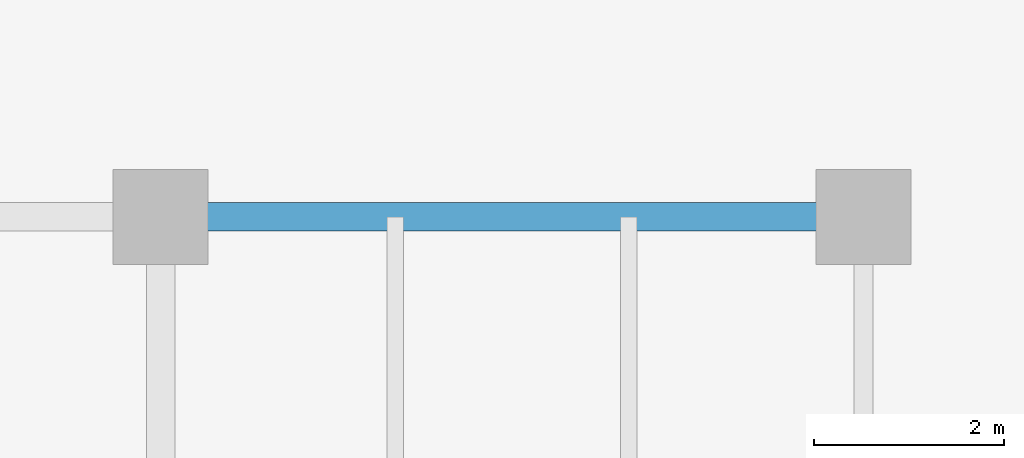
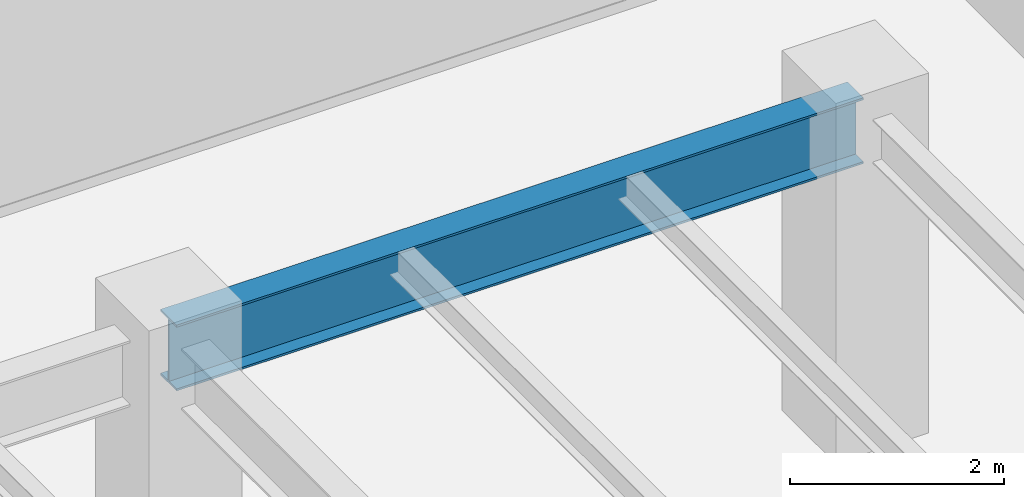
# One storey, part 21 of 36: 1 beam.
"""IFC4 building model written with IfcOpenShell, lengths in metres."""

from ifc_helpers import new_model, si_unit, direction, frame, origin, origin_2d, place, context, subcontext, project, spatial, i_section, extrude, source, transform, mapped, material, material_profile, profile_set, type_object, type_shapes, element, save


model = new_model("IFC4")

# Units and contexts
model_context = context("Model", 3, precision=1e-05, world=origin(), true_north=direction((0.0, 1.0)))
body_context = subcontext(model_context, "Body", "Model", "MODEL_VIEW")
ifc_project = project(units=[si_unit("LENGTHUNIT", "METRE"), si_unit("AREAUNIT", "SQUARE_METRE"), si_unit("VOLUMEUNIT", "CUBIC_METRE"), si_unit("PLANEANGLEUNIT", "RADIAN"), si_unit("MASSUNIT", "GRAM", prefix="KILO")], contexts=[model_context])

# Site, building, storey
site_placement = place(None, origin())
site = spatial("IfcSite", under=ifc_project, at=site_placement, CompositionType="ELEMENT")
building_placement = place(site_placement, origin())
building = spatial("IfcBuilding", under=site, at=building_placement, Name="Haelvirn Gate Laboratories", CompositionType="ELEMENT")
storey_placement = place(building_placement, frame((0.0, 0.0, 25.199951171875)))
storey = spatial("IfcBuildingStorey", under=building, at=storey_placement, Name="L06", CompositionType="ELEMENT", Elevation=25.199951171875)

# Beam
ifc_material = material(Name="Steel SM355", Category="steel")
ifc_material_profile = material_profile(ifc_material, i_section(OverallWidth=0.300048828125, OverallDepth=0.75, WebThickness=0.013916015625, FlangeThickness=0.02392578125, at=origin_2d()), Name="H-750x300x14x24")
ifc_profile_set = profile_set([ifc_material_profile], Name="Steel SM355")
beam_type = type_object("IfcBeamType", Name="BM-G-750", PredefinedType="BEAM", material=ifc_profile_set)
shared_shape = source(origin(), body_context, "Body", "SweptSolid", [
    extrude(i_section(OverallWidth=0.300048828125, OverallDepth=0.75, WebThickness=0.013916015625, FlangeThickness=0.02392578125, at=origin_2d()), origin(), (0.0, 0.0, 1.0), 7.39990234375),
])
type_shapes(beam_type, [shared_shape])
beam_placement = place(storey_placement, frame((60.0, 41.60009765625, 3.405029296875), z_axis=(1.0, 0.0, 0.0), x_axis=(0.0, 1.0, 0.0)))
element("IfcBeam", 1, at=beam_placement, inside=storey, type_object=beam_type, Name="L06 Primary Girder Y41.6 (60.0-67.4)", PredefinedType="BEAM", context=body_context, shape_type="MappedRepresentation", body=[
    mapped(shared_shape, transform((0.0, 0.0, 0.0), scale=1.0)),
])

save(model, "model.ifc")
